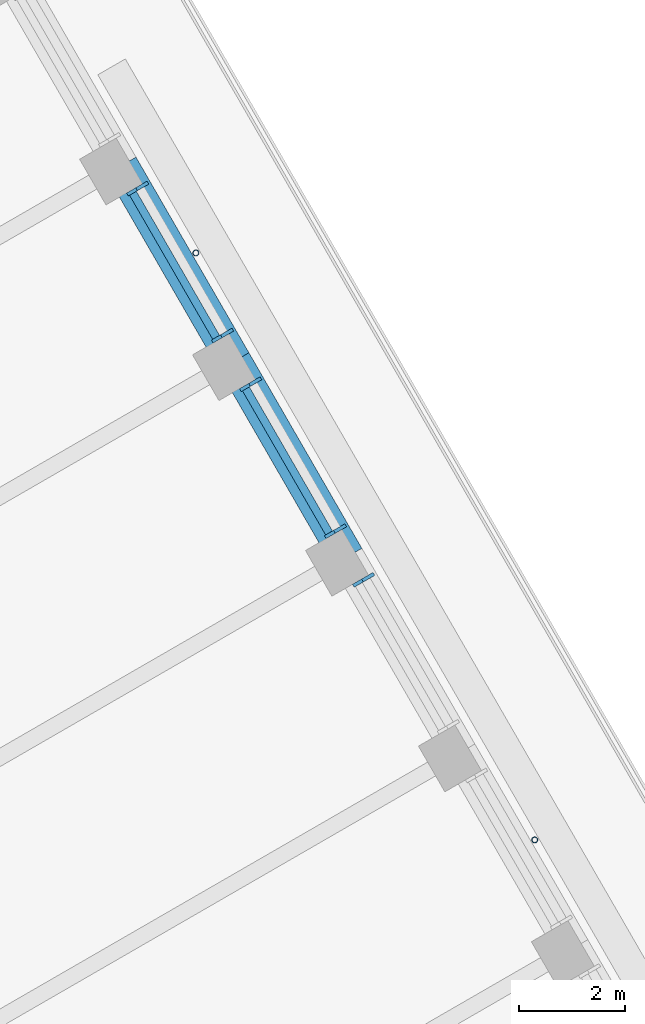
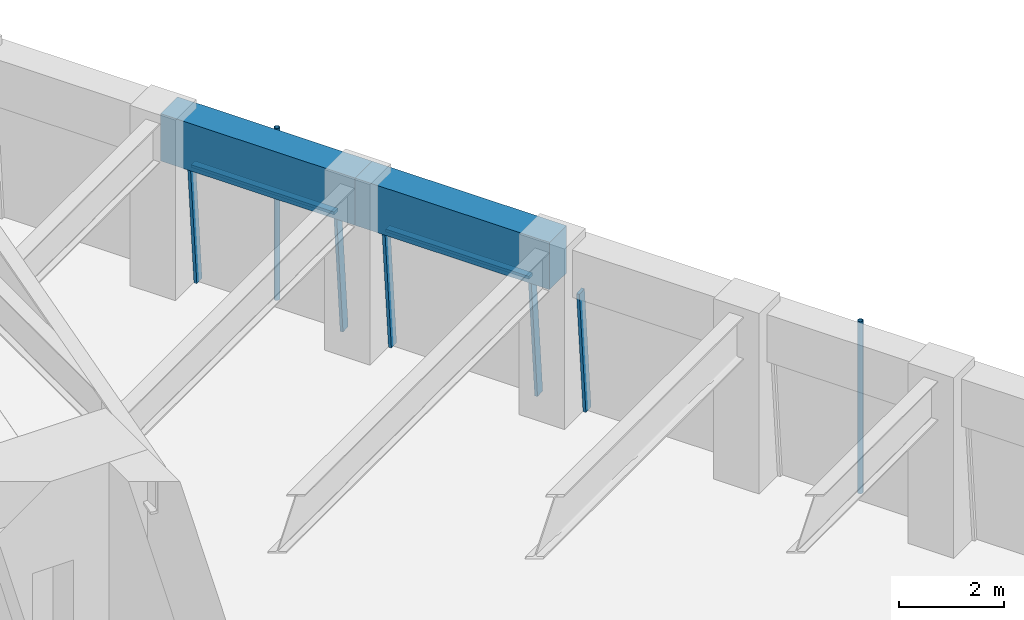
# One storey, part 10 of 19: 9 members, 2 beams, 3 elements without a shape of their own.
"""IFC4 building model written with IfcOpenShell, lengths in metres."""

from ifc_helpers import new_model, si_unit, direction, frame, origin, origin_2d, place, context, subcontext, project, spatial, rectangle, hollow_circle, extrude, material, material_profile, profile_set, type_object, element, aggregate, save


model = new_model("IFC4")

# Units and contexts
model_context = context("Model", 3, precision=1e-05, world=origin(), true_north=direction((0.0, 1.0)))
body_context = subcontext(model_context, "Body", "Model", "MODEL_VIEW")
ifc_project = project(units=[si_unit("LENGTHUNIT", "METRE"), si_unit("AREAUNIT", "SQUARE_METRE"), si_unit("VOLUMEUNIT", "CUBIC_METRE"), si_unit("PLANEANGLEUNIT", "RADIAN"), si_unit("MASSUNIT", "GRAM", prefix="KILO")], contexts=[model_context])

# Site, building, storey
site_placement = place(None, origin())
site = spatial("IfcSite", under=ifc_project, at=site_placement, CompositionType="ELEMENT")
building_placement = place(site_placement, origin())
building = spatial("IfcBuilding", under=site, at=building_placement, Name="Tarfa Lantern Tower", CompositionType="ELEMENT")
storey_placement = place(building_placement, frame((0.0, 0.0, 336.699951171875)))
storey = spatial("IfcBuildingStorey", under=building, at=storey_placement, Name="L76", CompositionType="ELEMENT", Elevation=336.699951171875)

# Curtain wall, member
ifc_material_1 = material(Name="Aluminium framed curtain wall", Category="aluminium")
curtain_wall_type = type_object("IfcCurtainWallType", Name="CW4 CANTED GLAZING EXECUTIVE ZONE 2900", PredefinedType="USERDEFINED", material=ifc_material_1)
curtain_wall_1_placement = place(storey_placement, origin())
curtain_wall_1 = element("IfcCurtainWall", 1, at=curtain_wall_1_placement, inside=storey, type_object=curtain_wall_type, Name="CW4 NE L76", ObjectType="CURTAIN WALL", PredefinedType="USERDEFINED")
ifc_material_2 = material(Name="Aluminium mullion", Category="aluminium")
ifc_material_profile_1 = material_profile(ifc_material_2, rectangle(XDim=0.06494140625, YDim=0.199951171875, at=origin_2d()), Name="AL MULLION 65x200")
ifc_profile_set_1 = profile_set([ifc_material_profile_1], Name="Aluminium mullion")
member_type_1 = type_object("IfcMemberType", Name="CWM1 MULLION 65x200", PredefinedType="MULLION", material=ifc_profile_set_1)
member_1_placement = place(storey_placement, frame((23.345947265625, 12.86376953125, 0.0), z_axis=(-0.074393603155, -0.042941967097, 0.996303959277), x_axis=(0.499919672301, -0.866071776036, 0.0)))
member_1 = element("IfcMember", 2, at=member_1_placement, type_object=member_type_1, Name="CW4 mullion 2", PredefinedType="MULLION", context=body_context, shape_type="SweptSolid", body=[
    extrude(rectangle(XDim=0.06494140625, YDim=0.199951171875, at=origin_2d()), origin(), (0.0, 0.0, 1.0), 2.910888671875),
])
aggregate(curtain_wall_1, [member_1])

# Curtain wall, members
curtain_wall_2_placement = place(storey_placement, origin())
curtain_wall_2 = element("IfcCurtainWall", 3, at=curtain_wall_2_placement, inside=storey, type_object=curtain_wall_type, Name="CW4 NE L76", ObjectType="CURTAIN WALL", PredefinedType="USERDEFINED")
member_2_placement = place(storey_placement, frame((22.813232421875, 13.7861328125, 0.0), z_axis=(-0.074310195522, -0.042942234884, 0.996310172238), x_axis=(0.500342721131, -0.865827443207, 0.0)))
member_2 = element("IfcMember", 4, at=member_2_placement, type_object=member_type_1, Name="CW4 mullion 1", PredefinedType="MULLION", context=body_context, shape_type="SweptSolid", body=[
    extrude(rectangle(XDim=0.06494140625, YDim=0.199951171875, at=origin_2d()), origin(), (0.0, 0.0, 1.0), 2.910888671875),
])
member_3_placement = place(storey_placement, frame((21.204833984375, 16.572265625, 0.0), z_axis=(-0.074393603155, -0.042941967097, 0.996303959277), x_axis=(0.499919672301, -0.866071776036, 0.0)))
member_3 = element("IfcMember", 5, at=member_3_placement, type_object=member_type_1, Name="CW4 mullion 2", PredefinedType="MULLION", context=body_context, shape_type="SweptSolid", body=[
    extrude(rectangle(XDim=0.06494140625, YDim=0.199951171875, at=origin_2d()), origin(), (0.0, 0.0, 1.0), 2.910888671875),
])

curtain_wall_3_placement = place(storey_placement, origin())
curtain_wall_3 = element("IfcCurtainWall", 6, at=curtain_wall_3_placement, inside=storey, type_object=curtain_wall_type, Name="CW4 NE L76", ObjectType="CURTAIN WALL", PredefinedType="USERDEFINED")
member_4_placement = place(storey_placement, frame((20.67236328125, 17.494384765625, 0.0), z_axis=(-0.074393603155, -0.042941967097, 0.996303959277), x_axis=(0.499919672301, -0.866071776036, 0.0)))
member_4 = element("IfcMember", 7, at=member_4_placement, type_object=member_type_1, Name="CW4 mullion 1", PredefinedType="MULLION", context=body_context, shape_type="SweptSolid", body=[
    extrude(rectangle(XDim=0.06494140625, YDim=0.199951171875, at=origin_2d()), origin(), (0.0, 0.0, 1.0), 2.910888671875),
])
member_5_placement = place(storey_placement, frame((19.063720703125, 20.280517578125, 0.0), z_axis=(-0.074310195522, -0.042942234884, 0.996310172238), x_axis=(0.500342721131, -0.865827443207, 0.0)))
member_5 = element("IfcMember", 8, at=member_5_placement, type_object=member_type_1, Name="CW4 mullion 2", PredefinedType="MULLION", context=body_context, shape_type="SweptSolid", body=[
    extrude(rectangle(XDim=0.06494140625, YDim=0.199951171875, at=origin_2d()), origin(), (0.0, 0.0, 1.0), 2.910888671875),
])

# Member
ifc_material_3 = material(Name="Aluminium transom", Category="aluminium")
ifc_material_profile_2 = material_profile(ifc_material_3, rectangle(XDim=0.14990234375, YDim=0.06494140625, at=origin_2d()), Name="AL TRANSOM 150x65")
ifc_profile_set_2 = profile_set([ifc_material_profile_2], Name="Aluminium transom")
member_type_2 = type_object("IfcMemberType", Name="CWT1 TRANSOM 150x65", PredefinedType="USERDEFINED", material=ifc_profile_set_2)
member_6_placement = place(storey_placement, frame((22.5830078125, 13.690673828125, 2.867431640625), z_axis=(-0.499979472441, 0.866037255052, 0.0), x_axis=(-0.866037255052, -0.499979472441, 0.0)))
member_6 = element("IfcMember", 9, at=member_6_placement, type_object=member_type_2, Name="CW4 transom 1.2", ObjectType="TRANSOM", PredefinedType="USERDEFINED", context=body_context, shape_type="SweptSolid", body=[
    extrude(rectangle(XDim=0.14990234375, YDim=0.06494140625, at=origin_2d()), origin(), (0.0, 0.0, 1.0), 3.152099609375),
])

aggregate(curtain_wall_2, [member_2, member_3, member_6])

member_7_placement = place(storey_placement, frame((20.44189453125, 17.39892578125, 2.867431640625), z_axis=(-0.499979472441, 0.866037255052, 0.0), x_axis=(-0.866037255052, -0.499979472441, 0.0)))
member_7 = element("IfcMember", 10, at=member_7_placement, type_object=member_type_2, Name="CW4 transom 1.2", ObjectType="TRANSOM", PredefinedType="USERDEFINED", context=body_context, shape_type="SweptSolid", body=[
    extrude(rectangle(XDim=0.14990234375, YDim=0.06494140625, at=origin_2d()), origin(), (0.0, 0.0, 1.0), 3.152099609375),
])

aggregate(curtain_wall_3, [member_4, member_5, member_7])

# Beams
ifc_material_4 = material(Name="Concrete C80/95", Category="concrete")
ifc_material_profile_3 = material_profile(ifc_material_4, rectangle(XDim=0.64990234375, YDim=1.10009765625, at=origin_2d()), Name="RC 650x1100")
ifc_profile_set_3 = profile_set([ifc_material_profile_3], Name="Concrete C80/95")
beam_type = type_object("IfcBeamType", Name="EB4 RC 650x1100", PredefinedType="SPANDREL", material=ifc_profile_set_3)
for number, where, z_axis, x_axis, name in (
    (11, (22.923583984375, 13.235107421875, 3.449951171875), (-0.499984039138, 0.866034618596, 0.0), (-0.866034618596, -0.499984039138, 0.0), "Edge beam NE3"),
    (12, (20.78271484375, 16.943359375, 3.449951171875), (-0.500026801138, 0.866009929587, 0.0), (-0.866009929587, -0.500026801138, 0.0), "Edge beam NE4"),
):
    element("IfcBeam", number, at=place(storey_placement, frame(where, z_axis=z_axis, x_axis=x_axis)), inside=storey, type_object=beam_type, Name=name, PredefinedType="SPANDREL", context=body_context, shape_type="SweptSolid", body=[
        extrude(rectangle(XDim=0.64990234375, YDim=1.10009765625, at=origin_2d()), origin(), (0.0, 0.0, 1.0), 4.281982421875),
    ])

# Members
ifc_material_5 = material(Name="Steel S355", Category="steel")
ifc_material_profile_4 = material_profile(ifc_material_5, hollow_circle(Radius=0.05712890625, WallThickness=0.00634765625, at=origin_2d()), Name="CHS114.3x6.3")
ifc_profile_set_4 = profile_set([ifc_material_profile_4], Name="Steel S355")
member_type_3 = type_object("IfcMemberType", Name="TR1 GREEN WALL TRELLIS CHS114.3x6.3", PredefinedType="USERDEFINED", material=ifc_profile_set_4)
for number, where, z_axis, x_axis, name in (
    (13, (26.481689453125, 7.87255859375, 0.0), (0.0, 0.0, 1.0), (1.0, 0.0, 0.0), "Trellis post NE 1"),
    (14, (20.05859375, 18.99755859375, 0.0), (0.0, 0.0, 1.0), (1.0, 0.0, 0.0), "Trellis post NE 2"),
):
    element("IfcMember", number, at=place(storey_placement, frame(where, z_axis=z_axis, x_axis=x_axis)), inside=storey, type_object=member_type_3, Name=name, ObjectType="TRELLIS", PredefinedType="USERDEFINED", context=body_context, shape_type="SweptSolid", body=[
        extrude(hollow_circle(Radius=0.05712890625, WallThickness=0.00634765625, at=origin_2d()), origin(), (0.0, 0.0, 1.0), 4.0),
    ])

save(model, "model.ifc")
